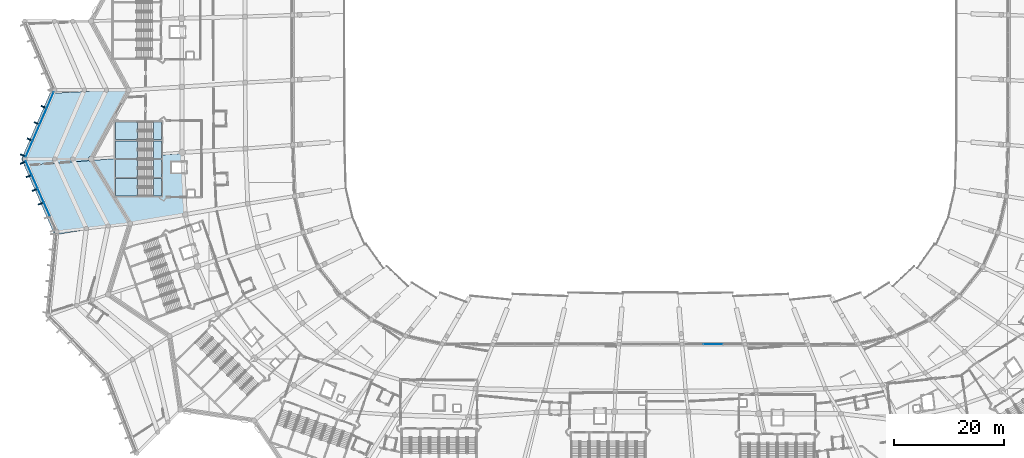
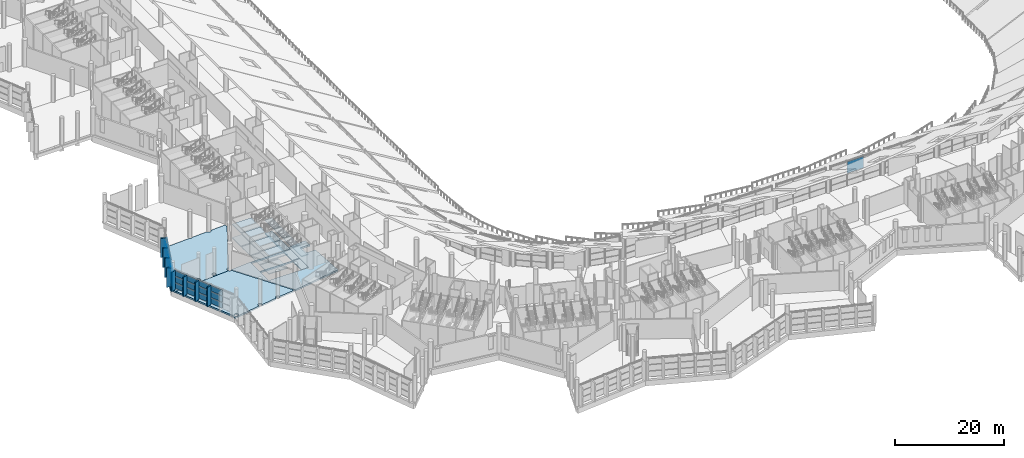
# One storey, part 103 of 249: 31 plates, 19 slabs, 7 elements without a shape of their own.
"""IFC4 building model written with IfcOpenShell, lengths in metres."""

from ifc_helpers import new_model, si_unit, direction, frame, origin, origin_2d, place, context, subcontext, project, spatial, polyline, rectangle, outline, extrude, material, layer, layer_set, type_object, element, aggregate, save


model = new_model("IFC4")

# Units and contexts
model_context = context("Model", 3, precision=1e-05, world=origin(), true_north=direction((0.0, 1.0)))
body_context = subcontext(model_context, "Body", "Model", "MODEL_VIEW")
ifc_project = project(units=[si_unit("LENGTHUNIT", "METRE"), si_unit("AREAUNIT", "SQUARE_METRE"), si_unit("VOLUMEUNIT", "CUBIC_METRE"), si_unit("PLANEANGLEUNIT", "RADIAN"), si_unit("MASSUNIT", "GRAM", prefix="KILO")], contexts=[model_context])

# Site, building, storey
site_placement = place(None, origin())
site = spatial("IfcSite", under=ifc_project, at=site_placement, CompositionType="ELEMENT")
building_placement = place(site_placement, origin())
building = spatial("IfcBuilding", under=site, at=building_placement, Name="Meseta Stadium", CompositionType="ELEMENT")
storey_placement = place(building_placement, frame((0.0, 0.0, 12.0)))
storey = spatial("IfcBuildingStorey", under=building, at=storey_placement, Name="L02", CompositionType="ELEMENT", Elevation=12.0)

# Curtain wall, plate
ifc_material_1 = material(Name="Aluminium", Category="aluminium")
ifc_layer_1 = layer(ifc_material_1, 0.199951171875)
ifc_layer_set_1 = layer_set([ifc_layer_1], Name="Suite glazing curtain wall")
curtain_wall_type_1 = type_object("IfcCurtainWallType", Name="Suite glazing curtain wall", PredefinedType="NOTDEFINED", material=ifc_layer_set_1)
curtain_wall_1_placement = place(storey_placement, origin())
curtain_wall_1 = element("IfcCurtainWall", 1, at=curtain_wall_1_placement, inside=storey, type_object=curtain_wall_type_1, Name="Suite glazing bay 47", PredefinedType="NOTDEFINED")
ifc_material_2 = material(Name="Glass", Category="glass")
ifc_layer_2 = layer(ifc_material_2, 0.035888671875)
ifc_layer_set_2 = layer_set([ifc_layer_2], Name="CW glass panel 36")
plate_type_1 = type_object("IfcPlateType", Name="CW glass panel 36", PredefinedType="CURTAIN_PANEL", material=ifc_layer_set_2)
plate_1_placement = place(storey_placement, frame((11.41064453125, -77.31787109375, 2.89990234375), z_axis=(0.0, 0.0, 1.0), x_axis=(0.999996910004, -0.002485957037, 0.0)))
plate_1 = element("IfcPlate", 2, at=plate_1_placement, type_object=plate_type_1, Name="CWS panel 2.3", PredefinedType="CURTAIN_PANEL", context=body_context, shape_type="SweptSolid", body=[
    extrude(rectangle(XDim=3.42236328125, YDim=0.035888671875, at=origin_2d()), origin(), (0.0, 0.0, 1.0), 2.60009765625),
])
aggregate(curtain_wall_1, [plate_1])

# Slabs
ifc_material_3 = material(Name="Concrete C40/50", Category="concrete")
ifc_layer_3 = layer(ifc_material_3, 0.35009765625)
ifc_layer_set_3 = layer_set([ifc_layer_3], Name="Floor slab 350")
slab_type_1 = type_object("IfcSlabType", Name="Floor slab 350", PredefinedType="FLOOR", material=ifc_layer_set_3)
slab_1_placement = place(storey_placement, frame((0.0, 0.0, -0.35009765625)))
element("IfcSlab", 3, at=slab_1_placement, inside=storey, type_object=slab_type_1, Name="Floor slab L02 sector 35 panel 02", PredefinedType="FLOOR", context=body_context, shape_type="SweptSolid", body=[
    extrude(outline(polyline([(-88.60009765625, -43.028564453125), (-88.60009765625, -43.64990234375), (-96.697021484375, -43.64990234375), (-101.24853515625, -43.999267578125), (-94.29443359375, -55.44140625), (-84.3251953125, -53.801513671875), (-84.703125, -46.199951171875), (-86.800048828125, -46.199951171875), (-86.800048828125, -44.300048828125), (-84.797607421875, -44.300048828125), (-84.875, -42.74267578125), (-88.60009765625, -43.028564453125)]), holes=[polyline([(-97.0, -47.25), (-88.60009765625, -47.25), (-88.60009765625, -50.449951171875), (-97.0, -50.449951171875), (-97.0, -47.25)]), polyline([(-97.0, -47.050048828125), (-97.0, -43.85009765625), (-88.60009765625, -43.85009765625), (-88.60009765625, -47.050048828125), (-97.0, -47.050048828125)])]), origin(), (0.0, 0.0, 1.0), 0.35009765625),
])
slab_2_placement = place(storey_placement, frame((0.0, 0.0, -0.35009765625)))
element("IfcSlab", 4, at=slab_2_placement, inside=storey, type_object=slab_type_1, Name="Ring floor slab L02 5 part 2 panel 01", PredefinedType="FLOOR", context=body_context, shape_type="SweptSolid", body=[
    extrude(outline(polyline([(-102.890869140625, -31.5283203125), (-108.861572265625, -31.85546875), (-114.0, -43.75), (-113.480712890625, -44.938232421875), (-101.80615234375, -44.0419921875), (-101.836669921875, -44.002197265625), (-101.88720703125, -43.880615234375), (-101.904296875, -43.75), (-101.88720703125, -43.619384765625), (-101.836669921875, -43.497802734375), (-101.756591796875, -43.393310546875), (-101.652099609375, -43.313232421875), (-101.530517578125, -43.262939453125), (-101.39990234375, -43.24560546875), (-101.30322265625, -43.25830078125), (-94.935302734375, -31.55224609375), (-94.9931640625, -31.476806640625), (-95.038330078125, -31.367431640625), (-95.053955078125, -31.25), (-95.038330078125, -31.132568359375), (-95.023681640625, -31.0966796875), (-98.19921875, -31.27099609375), (-98.210205078125, -31.3544921875), (-98.25048828125, -31.45166015625), (-98.314697265625, -31.535400390625), (-98.398193359375, -31.599365234375), (-98.49560546875, -31.6396484375), (-98.60009765625, -31.653564453125), (-98.704345703125, -31.6396484375), (-98.8017578125, -31.599365234375), (-98.88525390625, -31.535400390625), (-98.949462890625, -31.45166015625), (-98.98974609375, -31.3544921875), (-98.9951171875, -31.314697265625), (-102.28369140625, -31.494873046875), (-102.314697265625, -31.535400390625), (-102.398193359375, -31.599365234375), (-102.49560546875, -31.6396484375), (-102.60009765625, -31.653564453125), (-102.704345703125, -31.6396484375), (-102.8017578125, -31.599365234375), (-102.88525390625, -31.535400390625), (-102.890869140625, -31.5283203125)]), holes=[polyline([(-104.498291015625, -44.099365234375), (-104.595703125, -44.1396484375), (-104.699951171875, -44.153564453125), (-104.804443359375, -44.1396484375), (-104.901611328125, -44.099365234375), (-104.9853515625, -44.035400390625), (-105.04931640625, -43.95166015625), (-105.089599609375, -43.8544921875), (-105.103515625, -43.75), (-105.089599609375, -43.6455078125), (-105.04931640625, -43.54833984375), (-104.9853515625, -43.464599609375), (-104.901611328125, -43.400634765625), (-104.804443359375, -43.3603515625), (-104.699951171875, -43.346435546875), (-104.595703125, -43.3603515625), (-104.498291015625, -43.400634765625), (-104.414794921875, -43.464599609375), (-104.3505859375, -43.54833984375), (-104.310302734375, -43.6455078125), (-104.29638671875, -43.75), (-104.310302734375, -43.8544921875), (-104.3505859375, -43.95166015625), (-104.414794921875, -44.035400390625), (-104.498291015625, -44.099365234375)]), polyline([(-107.650634765625, -43.95166015625), (-107.714599609375, -44.035400390625), (-107.79833984375, -44.099365234375), (-107.8955078125, -44.1396484375), (-108.0, -44.153564453125), (-108.1044921875, -44.1396484375), (-108.20166015625, -44.099365234375), (-108.285400390625, -44.035400390625), (-108.349365234375, -43.95166015625), (-108.3896484375, -43.8544921875), (-108.403564453125, -43.75), (-108.3896484375, -43.6455078125), (-108.349365234375, -43.54833984375), (-108.285400390625, -43.464599609375), (-108.20166015625, -43.400634765625), (-108.1044921875, -43.3603515625), (-108.0, -43.346435546875), (-107.8955078125, -43.3603515625), (-107.79833984375, -43.400634765625), (-107.714599609375, -43.464599609375), (-107.650634765625, -43.54833984375), (-107.6103515625, -43.6455078125), (-107.596435546875, -43.75), (-107.6103515625, -43.8544921875), (-107.650634765625, -43.95166015625)]), polyline([(-113.601806640625, -44.099365234375), (-113.685302734375, -44.035400390625), (-113.74951171875, -43.95166015625), (-113.789794921875, -43.8544921875), (-113.803466796875, -43.75), (-113.789794921875, -43.6455078125), (-113.74951171875, -43.54833984375), (-113.685302734375, -43.464599609375), (-113.601806640625, -43.400634765625), (-113.50439453125, -43.3603515625), (-113.39990234375, -43.346435546875), (-113.295654296875, -43.3603515625), (-113.1982421875, -43.400634765625), (-113.11474609375, -43.464599609375), (-113.050537109375, -43.54833984375), (-113.01025390625, -43.6455078125), (-112.99658203125, -43.75), (-113.01025390625, -43.8544921875), (-113.050537109375, -43.95166015625), (-113.11474609375, -44.035400390625), (-113.1982421875, -44.099365234375), (-113.295654296875, -44.1396484375), (-113.39990234375, -44.153564453125), (-113.50439453125, -44.1396484375), (-113.601806640625, -44.099365234375)])]), origin(), (0.0, 0.0, 1.0), 0.35009765625),
])
slab_3_placement = place(storey_placement, frame((0.0, 0.0, -0.35009765625)))
element("IfcSlab", 5, at=slab_3_placement, inside=storey, type_object=slab_type_1, Name="Ring floor slab L02 5 part 2 panel 02", PredefinedType="FLOOR", context=body_context, shape_type="SweptSolid", body=[
    extrude(outline(polyline([(-108.255615234375, -57.526611328125), (-102.541748046875, -56.606201171875), (-102.593505859375, -56.538818359375), (-102.6337890625, -56.441650390625), (-102.647705078125, -56.337158203125), (-102.6337890625, -56.23291015625), (-102.593505859375, -56.135498046875), (-102.529296875, -56.052001953125), (-102.44580078125, -55.98779296875), (-102.348388671875, -55.947509765625), (-102.244140625, -55.93359375), (-102.1396484375, -55.947509765625), (-102.04248046875, -55.98779296875), (-101.958740234375, -56.052001953125), (-101.894775390625, -56.135498046875), (-101.8544921875, -56.23291015625), (-101.8408203125, -56.337158203125), (-101.8544921875, -56.441650390625), (-101.87841796875, -56.49951171875), (-98.66064453125, -55.981201171875), (-98.672607421875, -55.889404296875), (-98.658935546875, -55.784912109375), (-98.61865234375, -55.6875), (-98.554443359375, -55.60400390625), (-98.470947265625, -55.539794921875), (-98.373779296875, -55.49951171875), (-98.269287109375, -55.48583984375), (-98.164794921875, -55.49951171875), (-98.0673828125, -55.539794921875), (-97.98388671875, -55.60400390625), (-97.919921875, -55.6875), (-97.879638671875, -55.784912109375), (-97.87158203125, -55.844482421875), (-94.74169921875, -55.491943359375), (-94.748291015625, -55.44140625), (-94.73291015625, -55.323974609375), (-94.6875, -55.214599609375), (-94.64306640625, -55.156494140625), (-101.27880859375, -44.23828125), (-101.39990234375, -44.25439453125), (-101.530517578125, -44.237060546875), (-101.652099609375, -44.186767578125), (-101.756591796875, -44.106689453125), (-101.80615234375, -44.0419921875), (-113.480712890625, -44.938232421875), (-108.206298828125, -57.009033203125), (-108.255615234375, -57.526611328125)]), holes=[polyline([(-107.959716796875, -56.739990234375), (-107.8955078125, -56.656494140625), (-107.81201171875, -56.59228515625), (-107.714599609375, -56.552001953125), (-107.610107421875, -56.538330078125), (-107.505615234375, -56.552001953125), (-107.408447265625, -56.59228515625), (-107.324951171875, -56.656494140625), (-107.2607421875, -56.739990234375), (-107.220458984375, -56.83740234375), (-107.206787109375, -56.94189453125), (-107.220458984375, -57.046142578125), (-107.2607421875, -57.1435546875), (-107.324951171875, -57.22705078125), (-107.408447265625, -57.291259765625), (-107.505615234375, -57.33154296875), (-107.610107421875, -57.34521484375), (-107.714599609375, -57.33154296875), (-107.81201171875, -57.291259765625), (-107.8955078125, -57.22705078125), (-107.959716796875, -57.1435546875), (-108.0, -57.046142578125), (-108.013671875, -56.94189453125), (-108.0, -56.83740234375), (-107.959716796875, -56.739990234375)])]), origin(), (0.0, 0.0, 1.0), 0.35009765625),
])

# Curtain wall, plates
ifc_material_4 = material(Name="Aluminium", Category="aluminium")
ifc_layer_4 = layer(ifc_material_4, 0.199951171875)
ifc_layer_set_4 = layer_set([ifc_layer_4], Name="Ring shopfront curtain wall")
curtain_wall_type_2 = type_object("IfcCurtainWallType", Name="Ring shopfront curtain wall", PredefinedType="NOTDEFINED", material=ifc_layer_set_4)
curtain_wall_2_placement = place(storey_placement, origin())
curtain_wall_2 = element("IfcCurtainWall", 6, at=curtain_wall_2_placement, inside=storey, type_object=curtain_wall_type_2, Name="Ring glazing L02 F35", PredefinedType="NOTDEFINED")
ifc_material_5 = material(Name="Glass", Category="glass")
ifc_layer_5 = layer(ifc_material_5, 0.035888671875)
ifc_layer_set_5 = layer_set([ifc_layer_5], Name="Ring CW glass panel 36")
plate_type_2 = type_object("IfcPlateType", Name="Ring CW glass panel 36", PredefinedType="CURTAIN_PANEL", material=ifc_layer_set_5)
plate_2_placement = place(storey_placement, frame((-108.7998046875, -33.1015625, 0.14990234375), z_axis=(0.0, 0.0, 1.0), x_axis=(-0.396580687073, -0.91799986854, 0.0)))
plate_2 = element("IfcPlate", 7, at=plate_2_placement, type_object=plate_type_2, Name="CWR1 panel 1.1", PredefinedType="CURTAIN_PANEL", context=body_context, shape_type="SweptSolid", body=[
    extrude(rectangle(XDim=3.1142578125, YDim=0.035888671875, at=origin_2d()), origin(), (0.0, 0.0, 1.0), 1.208251953125),
])
plate_3_placement = place(storey_placement, frame((-110.064697265625, -36.029296875, 0.14990234375), z_axis=(0.0, 0.0, 1.0), x_axis=(-0.396580687073, -0.91799986854, 0.0)))
plate_3 = element("IfcPlate", 8, at=plate_3_placement, type_object=plate_type_2, Name="CWR1 panel 2.1", PredefinedType="CURTAIN_PANEL", context=body_context, shape_type="SweptSolid", body=[
    extrude(rectangle(XDim=3.14404296875, YDim=0.035888671875, at=origin_2d()), origin(), (0.0, 0.0, 1.0), 1.208251953125),
])
plate_4_placement = place(storey_placement, frame((-110.064697265625, -36.029296875, 1.50830078125), z_axis=(0.0, 0.0, 1.0), x_axis=(-0.396580687073, -0.91799986854, 0.0)))
plate_4 = element("IfcPlate", 9, at=plate_4_placement, type_object=plate_type_2, Name="CWR1 panel 2.2", PredefinedType="CURTAIN_PANEL", context=body_context, shape_type="SweptSolid", body=[
    extrude(rectangle(XDim=3.14404296875, YDim=0.035888671875, at=origin_2d()), origin(), (0.0, 0.0, 1.0), 1.283447265625),
])
plate_5_placement = place(storey_placement, frame((-110.064697265625, -36.029296875, 2.94189453125), z_axis=(0.0, 0.0, 1.0), x_axis=(-0.396580687073, -0.91799986854, 0.0)))
plate_5 = element("IfcPlate", 10, at=plate_5_placement, type_object=plate_type_2, Name="CWR1 panel 2.3", PredefinedType="CURTAIN_PANEL", context=body_context, shape_type="SweptSolid", body=[
    extrude(rectangle(XDim=3.14404296875, YDim=0.035888671875, at=origin_2d()), origin(), (0.0, 0.0, 1.0), 1.208251953125),
])
plate_6_placement = place(storey_placement, frame((-111.33544921875, -38.970703125, 0.14990234375), z_axis=(0.0, 0.0, 1.0), x_axis=(-0.396580687073, -0.91799986854, 0.0)))
plate_6 = element("IfcPlate", 11, at=plate_6_placement, type_object=plate_type_2, Name="CWR1 panel 3.1", PredefinedType="CURTAIN_PANEL", context=body_context, shape_type="SweptSolid", body=[
    extrude(rectangle(XDim=3.14404296875, YDim=0.035888671875, at=origin_2d()), origin(), (0.0, 0.0, 1.0), 1.208251953125),
])
plate_7_placement = place(storey_placement, frame((-111.33544921875, -38.970703125, 1.50830078125), z_axis=(0.0, 0.0, 1.0), x_axis=(-0.396580687073, -0.91799986854, 0.0)))
plate_7 = element("IfcPlate", 12, at=plate_7_placement, type_object=plate_type_2, Name="CWR1 panel 3.2", PredefinedType="CURTAIN_PANEL", context=body_context, shape_type="SweptSolid", body=[
    extrude(rectangle(XDim=3.14404296875, YDim=0.035888671875, at=origin_2d()), origin(), (0.0, 0.0, 1.0), 1.283447265625),
])
plate_8_placement = place(storey_placement, frame((-111.33544921875, -38.970703125, 2.94189453125), z_axis=(0.0, 0.0, 1.0), x_axis=(-0.396580687073, -0.91799986854, 0.0)))
plate_8 = element("IfcPlate", 13, at=plate_8_placement, type_object=plate_type_2, Name="CWR1 panel 3.3", PredefinedType="CURTAIN_PANEL", context=body_context, shape_type="SweptSolid", body=[
    extrude(rectangle(XDim=3.14404296875, YDim=0.035888671875, at=origin_2d()), origin(), (0.0, 0.0, 1.0), 1.208251953125),
])
plate_9_placement = place(storey_placement, frame((-112.60009765625, -41.8984375, 0.14990234375), z_axis=(0.0, 0.0, 1.0), x_axis=(-0.396580687073, -0.91799986854, 0.0)))
plate_9 = element("IfcPlate", 14, at=plate_9_placement, type_object=plate_type_2, Name="CWR1 panel 4.1", PredefinedType="CURTAIN_PANEL", context=body_context, shape_type="SweptSolid", body=[
    extrude(rectangle(XDim=3.1142578125, YDim=0.035888671875, at=origin_2d()), origin(), (0.0, 0.0, 1.0), 1.208251953125),
])
plate_10_placement = place(storey_placement, frame((-112.60009765625, -41.8984375, 1.50830078125), z_axis=(0.0, 0.0, 1.0), x_axis=(-0.396580687073, -0.91799986854, 0.0)))
plate_10 = element("IfcPlate", 15, at=plate_10_placement, type_object=plate_type_2, Name="CWR1 panel 4.2", PredefinedType="CURTAIN_PANEL", context=body_context, shape_type="SweptSolid", body=[
    extrude(rectangle(XDim=3.1142578125, YDim=0.035888671875, at=origin_2d()), origin(), (0.0, 0.0, 1.0), 1.283447265625),
])
plate_11_placement = place(storey_placement, frame((-112.60009765625, -41.8984375, 2.94189453125), z_axis=(0.0, 0.0, 1.0), x_axis=(-0.396580687073, -0.91799986854, 0.0)))
plate_11 = element("IfcPlate", 16, at=plate_11_placement, type_object=plate_type_2, Name="CWR1 panel 4.3", PredefinedType="CURTAIN_PANEL", context=body_context, shape_type="SweptSolid", body=[
    extrude(rectangle(XDim=3.1142578125, YDim=0.035888671875, at=origin_2d()), origin(), (0.0, 0.0, 1.0), 1.208251953125),
])
aggregate(curtain_wall_2, [plate_2, plate_3, plate_4, plate_5, plate_6, plate_7, plate_8, plate_9, plate_10, plate_11])

curtain_wall_3_placement = place(storey_placement, origin())
curtain_wall_3 = element("IfcCurtainWall", 17, at=curtain_wall_3_placement, inside=storey, type_object=curtain_wall_type_2, Name="Ring glazing L02 F36", PredefinedType="NOTDEFINED")
plate_12_placement = place(storey_placement, frame((-112.686279296875, -45.3759765625, 0.14990234375), z_axis=(0.0, 0.0, 1.0), x_axis=(0.401891921186, -0.915687110145, 0.0)))
plate_12 = element("IfcPlate", 18, at=plate_12_placement, type_object=plate_type_2, Name="CWR1 panel 1.1", PredefinedType="CURTAIN_PANEL", context=body_context, shape_type="SweptSolid", body=[
    extrude(rectangle(XDim=2.63134765625, YDim=0.035888671875, at=origin_2d()), origin(), (0.0, 0.0, 1.0), 1.208251953125),
])
plate_13_placement = place(storey_placement, frame((-112.686279296875, -45.3759765625, 1.50830078125), z_axis=(0.0, 0.0, 1.0), x_axis=(0.401891921186, -0.915687110145, 0.0)))
plate_13 = element("IfcPlate", 19, at=plate_13_placement, type_object=plate_type_2, Name="CWR1 panel 1.2", PredefinedType="CURTAIN_PANEL", context=body_context, shape_type="SweptSolid", body=[
    extrude(rectangle(XDim=2.63134765625, YDim=0.035888671875, at=origin_2d()), origin(), (0.0, 0.0, 1.0), 1.283447265625),
])
plate_14_placement = place(storey_placement, frame((-112.686279296875, -45.3759765625, 2.94189453125), z_axis=(0.0, 0.0, 1.0), x_axis=(0.401891921186, -0.915687110145, 0.0)))
plate_14 = element("IfcPlate", 20, at=plate_14_placement, type_object=plate_type_2, Name="CWR1 panel 1.3", PredefinedType="CURTAIN_PANEL", context=body_context, shape_type="SweptSolid", body=[
    extrude(rectangle(XDim=2.63134765625, YDim=0.035888671875, at=origin_2d()), origin(), (0.0, 0.0, 1.0), 1.208251953125),
])
plate_15_placement = place(storey_placement, frame((-111.5986328125, -47.85400390625, 0.14990234375), z_axis=(0.0, 0.0, 1.0), x_axis=(0.401891921186, -0.915687110145, 0.0)))
plate_15 = element("IfcPlate", 21, at=plate_15_placement, type_object=plate_type_2, Name="CWR1 panel 2.1", PredefinedType="CURTAIN_PANEL", context=body_context, shape_type="SweptSolid", body=[
    extrude(rectangle(XDim=2.661376953125, YDim=0.035888671875, at=origin_2d()), origin(), (0.0, 0.0, 1.0), 1.208251953125),
])
plate_16_placement = place(storey_placement, frame((-111.5986328125, -47.85400390625, 1.50830078125), z_axis=(0.0, 0.0, 1.0), x_axis=(0.401891921186, -0.915687110145, 0.0)))
plate_16 = element("IfcPlate", 22, at=plate_16_placement, type_object=plate_type_2, Name="CWR1 panel 2.2", PredefinedType="CURTAIN_PANEL", context=body_context, shape_type="SweptSolid", body=[
    extrude(rectangle(XDim=2.661376953125, YDim=0.035888671875, at=origin_2d()), origin(), (0.0, 0.0, 1.0), 1.283447265625),
])
plate_17_placement = place(storey_placement, frame((-111.5986328125, -47.85400390625, 2.94189453125), z_axis=(0.0, 0.0, 1.0), x_axis=(0.401891921186, -0.915687110145, 0.0)))
plate_17 = element("IfcPlate", 23, at=plate_17_placement, type_object=plate_type_2, Name="CWR1 panel 2.3", PredefinedType="CURTAIN_PANEL", context=body_context, shape_type="SweptSolid", body=[
    extrude(rectangle(XDim=2.661376953125, YDim=0.035888671875, at=origin_2d()), origin(), (0.0, 0.0, 1.0), 1.208251953125),
])
plate_18_placement = place(storey_placement, frame((-110.505126953125, -50.345947265625, 0.14990234375), z_axis=(0.0, 0.0, 1.0), x_axis=(0.401891921186, -0.915687110145, 0.0)))
plate_18 = element("IfcPlate", 24, at=plate_18_placement, type_object=plate_type_2, Name="CWR1 panel 3.1", PredefinedType="CURTAIN_PANEL", context=body_context, shape_type="SweptSolid", body=[
    extrude(rectangle(XDim=2.661376953125, YDim=0.035888671875, at=origin_2d()), origin(), (0.0, 0.0, 1.0), 1.208251953125),
])
plate_19_placement = place(storey_placement, frame((-110.505126953125, -50.345947265625, 1.50830078125), z_axis=(0.0, 0.0, 1.0), x_axis=(0.401891921186, -0.915687110145, 0.0)))
plate_19 = element("IfcPlate", 25, at=plate_19_placement, type_object=plate_type_2, Name="CWR1 panel 3.2", PredefinedType="CURTAIN_PANEL", context=body_context, shape_type="SweptSolid", body=[
    extrude(rectangle(XDim=2.661376953125, YDim=0.035888671875, at=origin_2d()), origin(), (0.0, 0.0, 1.0), 1.283447265625),
])
plate_20_placement = place(storey_placement, frame((-110.505126953125, -50.345947265625, 2.94189453125), z_axis=(0.0, 0.0, 1.0), x_axis=(0.401891921186, -0.915687110145, 0.0)))
plate_20 = element("IfcPlate", 26, at=plate_20_placement, type_object=plate_type_2, Name="CWR1 panel 3.3", PredefinedType="CURTAIN_PANEL", context=body_context, shape_type="SweptSolid", body=[
    extrude(rectangle(XDim=2.661376953125, YDim=0.035888671875, at=origin_2d()), origin(), (0.0, 0.0, 1.0), 1.208251953125),
])
plate_21_placement = place(storey_placement, frame((-109.411376953125, -52.837646484375, 0.14990234375), z_axis=(0.0, 0.0, 1.0), x_axis=(0.401891921186, -0.915687110145, 0.0)))
plate_21 = element("IfcPlate", 27, at=plate_21_placement, type_object=plate_type_2, Name="CWR1 panel 4.1", PredefinedType="CURTAIN_PANEL", context=body_context, shape_type="SweptSolid", body=[
    extrude(rectangle(XDim=2.661376953125, YDim=0.035888671875, at=origin_2d()), origin(), (0.0, 0.0, 1.0), 1.208251953125),
])
plate_22_placement = place(storey_placement, frame((-109.411376953125, -52.837646484375, 1.50830078125), z_axis=(0.0, 0.0, 1.0), x_axis=(0.401891921186, -0.915687110145, 0.0)))
plate_22 = element("IfcPlate", 28, at=plate_22_placement, type_object=plate_type_2, Name="CWR1 panel 4.2", PredefinedType="CURTAIN_PANEL", context=body_context, shape_type="SweptSolid", body=[
    extrude(rectangle(XDim=2.661376953125, YDim=0.035888671875, at=origin_2d()), origin(), (0.0, 0.0, 1.0), 1.283447265625),
])
plate_23_placement = place(storey_placement, frame((-109.411376953125, -52.837646484375, 2.94189453125), z_axis=(0.0, 0.0, 1.0), x_axis=(0.401891921186, -0.915687110145, 0.0)))
plate_23 = element("IfcPlate", 29, at=plate_23_placement, type_object=plate_type_2, Name="CWR1 panel 4.3", PredefinedType="CURTAIN_PANEL", context=body_context, shape_type="SweptSolid", body=[
    extrude(rectangle(XDim=2.661376953125, YDim=0.035888671875, at=origin_2d()), origin(), (0.0, 0.0, 1.0), 1.208251953125),
])
aggregate(curtain_wall_3, [plate_12, plate_13, plate_14, plate_15, plate_16, plate_17, plate_18, plate_19, plate_20, plate_21, plate_22, plate_23])

# Plates
ifc_material_6 = material(Name="Precast concrete C40/50", Category="concrete")
ifc_layer_6 = layer(ifc_material_6, 0.25)
ifc_layer_set_6 = layer_set([ifc_layer_6], Name="Ring brise-soleil fin 250x1000")
plate_type_3 = type_object("IfcPlateType", Name="Ring brise-soleil fin 250x1000", PredefinedType="USERDEFINED", material=ifc_layer_set_6)
for number, where, z_axis, x_axis, name in (
    (30, (-109.97998046875, -34.32080078125, 0.0), (0.0, 0.0, 1.0), (-0.396575976693, -0.918001903435, 0.0), "Brise-soleil fin L02 F35.2"),
    (31, (-111.250732421875, -37.26220703125, 0.0), (0.0, 0.0, 1.0), (-0.396575976693, -0.918001903435, 0.0), "Brise-soleil fin L02 F35.3"),
    (32, (-112.521484375, -40.20361328125, 0.0), (0.0, 0.0, 1.0), (-0.396575976693, -0.918001903435, 0.0), "Brise-soleil fin L02 F35.4"),
    (33, (-113.762451171875, -43.075927734375, 0.0), (0.0, 0.0, 1.0), (-0.396575976693, -0.918001903435, 0.0), "Brise-soleil fin L02 F35.5"),
    (34, (-113.758544921875, -44.426025390625, 0.0), (0.0, 0.0, 1.0), (0.401891841261, -0.915687145224, 0.0), "Brise-soleil fin L02 F36.1"),
    (35, (-112.695068359375, -46.849365234375, 0.0), (0.0, 0.0, 1.0), (0.401891841261, -0.915687145224, 0.0), "Brise-soleil fin L02 F36.2"),
    (36, (-111.601318359375, -49.341064453125, 0.0), (0.0, 0.0, 1.0), (0.401891841261, -0.915687145224, 0.0), "Brise-soleil fin L02 F36.3"),
    (37, (-110.5078125, -51.8330078125, 0.0), (0.0, 0.0, 1.0), (0.401891841261, -0.915687145224, 0.0), "Brise-soleil fin L02 F36.4"),
):
    element("IfcPlate", number, at=place(storey_placement, frame(where, z_axis=z_axis, x_axis=x_axis)), inside=storey, type_object=plate_type_3, Name=name, ObjectType="FIN", PredefinedType="USERDEFINED", context=body_context, shape_type="SweptSolid", body=[
        extrude(rectangle(XDim=0.25, YDim=1.0, at=origin_2d()), origin(), (0.0, 0.0, 1.0), 4.300048828125),
    ])

# Stair, slabs
ifc_material_7 = material(Name="Concrete C40/50", Category="concrete")
stair_type = type_object("IfcStairType", Name="Exit stair 4 flights 150 mm risers", PredefinedType="HALF_TURN_STAIR", material=ifc_material_7)
stair_1_placement = place(storey_placement, origin())
stair_1 = element("IfcStair", 38, at=stair_1_placement, inside=storey, type_object=stair_type, Name="ST73 L02", PredefinedType="HALF_TURN_STAIR")
ifc_material_8 = material(Name="Concrete C40/50", Category="concrete")
ifc_layer_7 = layer(ifc_material_8, 0.199951171875)
ifc_layer_set_7 = layer_set([ifc_layer_7], Name="Stair landing 200")
slab_type_2 = type_object("IfcSlabType", Name="Stair landing 200", PredefinedType="LANDING", material=ifc_layer_set_7)
slab_4_placement = place(storey_placement, frame((0.0, 0.0, 1.300048828125)))
slab_4 = element("IfcSlab", 39, at=slab_4_placement, type_object=slab_type_2, Name="ST73 L02 landing 1", PredefinedType="LANDING", context=body_context, shape_type="SweptSolid", body=[
    extrude(outline(polyline([(-92.969970703125, -37.050048828125), (-97.0, -37.050048828125), (-97.0, -40.25), (-92.969970703125, -40.25), (-92.969970703125, -37.050048828125)])), origin(), (0.0, 0.0, 1.0), 0.199951171875),
])
slab_5_placement = place(storey_placement, frame((0.0, 0.0, 2.800048828125)))
slab_5 = element("IfcSlab", 40, at=slab_5_placement, type_object=slab_type_2, Name="ST73 L02 landing 2", PredefinedType="LANDING", context=body_context, shape_type="SweptSolid", body=[
    extrude(outline(polyline([(-88.60009765625, -37.050048828125), (-90.110107421875, -37.050048828125), (-90.110107421875, -40.25), (-88.60009765625, -40.25), (-88.60009765625, -37.050048828125)])), origin(), (0.0, 0.0, 1.0), 0.199951171875),
])
slab_6_placement = place(storey_placement, frame((0.0, 0.0, 4.300048828125)))
slab_6 = element("IfcSlab", 41, at=slab_6_placement, type_object=slab_type_2, Name="ST73 L02 landing 3", PredefinedType="LANDING", context=body_context, shape_type="SweptSolid", body=[
    extrude(outline(polyline([(-92.969970703125, -37.050048828125), (-97.0, -37.050048828125), (-97.0, -40.25), (-92.969970703125, -40.25), (-92.969970703125, -37.050048828125)])), origin(), (0.0, 0.0, 1.0), 0.199951171875),
])
slab_7_placement = place(storey_placement, frame((0.0, 0.0, -0.199951171875)))
slab_7 = element("IfcSlab", 42, at=slab_7_placement, type_object=slab_type_2, Name="ST73 L02 landing 4", PredefinedType="LANDING", context=body_context, shape_type="SweptSolid", body=[
    extrude(outline(polyline([(-88.60009765625, -37.050048828125), (-90.110107421875, -37.050048828125), (-90.110107421875, -40.25), (-88.60009765625, -40.25), (-88.60009765625, -37.050048828125)])), origin(), (0.0, 0.0, 1.0), 0.199951171875),
])
aggregate(stair_1, [slab_4, slab_5, slab_6, slab_7])

stair_2_placement = place(storey_placement, origin())
stair_2 = element("IfcStair", 43, at=stair_2_placement, inside=storey, type_object=stair_type, Name="ST74 L02", PredefinedType="HALF_TURN_STAIR")
slab_8_placement = place(storey_placement, frame((0.0, 0.0, 1.300048828125)))
slab_8 = element("IfcSlab", 44, at=slab_8_placement, type_object=slab_type_2, Name="ST74 L02 landing 1", PredefinedType="LANDING", context=body_context, shape_type="SweptSolid", body=[
    extrude(outline(polyline([(-92.969970703125, -40.449951171875), (-97.0, -40.449951171875), (-97.0, -43.64990234375), (-92.969970703125, -43.64990234375), (-92.969970703125, -40.449951171875)])), origin(), (0.0, 0.0, 1.0), 0.199951171875),
])
slab_9_placement = place(storey_placement, frame((0.0, 0.0, 2.800048828125)))
slab_9 = element("IfcSlab", 45, at=slab_9_placement, type_object=slab_type_2, Name="ST74 L02 landing 2", PredefinedType="LANDING", context=body_context, shape_type="SweptSolid", body=[
    extrude(outline(polyline([(-88.60009765625, -40.449951171875), (-90.110107421875, -40.449951171875), (-90.110107421875, -43.64990234375), (-88.60009765625, -43.64990234375), (-88.60009765625, -40.449951171875)])), origin(), (0.0, 0.0, 1.0), 0.199951171875),
])
slab_10_placement = place(storey_placement, frame((0.0, 0.0, 4.300048828125)))
slab_10 = element("IfcSlab", 46, at=slab_10_placement, type_object=slab_type_2, Name="ST74 L02 landing 3", PredefinedType="LANDING", context=body_context, shape_type="SweptSolid", body=[
    extrude(outline(polyline([(-92.969970703125, -40.449951171875), (-97.0, -40.449951171875), (-97.0, -43.64990234375), (-92.969970703125, -43.64990234375), (-92.969970703125, -40.449951171875)])), origin(), (0.0, 0.0, 1.0), 0.199951171875),
])
slab_11_placement = place(storey_placement, frame((0.0, 0.0, -0.199951171875)))
slab_11 = element("IfcSlab", 47, at=slab_11_placement, type_object=slab_type_2, Name="ST74 L02 landing 4", PredefinedType="LANDING", context=body_context, shape_type="SweptSolid", body=[
    extrude(outline(polyline([(-88.60009765625, -40.449951171875), (-90.110107421875, -40.449951171875), (-90.110107421875, -43.64990234375), (-88.60009765625, -43.64990234375), (-88.60009765625, -40.449951171875)])), origin(), (0.0, 0.0, 1.0), 0.199951171875),
])
aggregate(stair_2, [slab_8, slab_9, slab_10, slab_11])

stair_3_placement = place(storey_placement, origin())
stair_3 = element("IfcStair", 48, at=stair_3_placement, inside=storey, type_object=stair_type, Name="ST75 L02", PredefinedType="HALF_TURN_STAIR")
slab_12_placement = place(storey_placement, frame((0.0, 0.0, 1.300048828125)))
slab_12 = element("IfcSlab", 49, at=slab_12_placement, type_object=slab_type_2, Name="ST75 L02 landing 1", PredefinedType="LANDING", context=body_context, shape_type="SweptSolid", body=[
    extrude(outline(polyline([(-92.969970703125, -43.85009765625), (-97.0, -43.85009765625), (-97.0, -47.050048828125), (-92.969970703125, -47.050048828125), (-92.969970703125, -43.85009765625)])), origin(), (0.0, 0.0, 1.0), 0.199951171875),
])
slab_13_placement = place(storey_placement, frame((0.0, 0.0, 2.800048828125)))
slab_13 = element("IfcSlab", 50, at=slab_13_placement, type_object=slab_type_2, Name="ST75 L02 landing 2", PredefinedType="LANDING", context=body_context, shape_type="SweptSolid", body=[
    extrude(outline(polyline([(-88.60009765625, -43.85009765625), (-90.110107421875, -43.85009765625), (-90.110107421875, -47.050048828125), (-88.60009765625, -47.050048828125), (-88.60009765625, -43.85009765625)])), origin(), (0.0, 0.0, 1.0), 0.199951171875),
])
slab_14_placement = place(storey_placement, frame((0.0, 0.0, 4.300048828125)))
slab_14 = element("IfcSlab", 51, at=slab_14_placement, type_object=slab_type_2, Name="ST75 L02 landing 3", PredefinedType="LANDING", context=body_context, shape_type="SweptSolid", body=[
    extrude(outline(polyline([(-92.969970703125, -43.85009765625), (-97.0, -43.85009765625), (-97.0, -47.050048828125), (-92.969970703125, -47.050048828125), (-92.969970703125, -43.85009765625)])), origin(), (0.0, 0.0, 1.0), 0.199951171875),
])
slab_15_placement = place(storey_placement, frame((0.0, 0.0, -0.199951171875)))
slab_15 = element("IfcSlab", 52, at=slab_15_placement, type_object=slab_type_2, Name="ST75 L02 landing 4", PredefinedType="LANDING", context=body_context, shape_type="SweptSolid", body=[
    extrude(outline(polyline([(-88.60009765625, -43.85009765625), (-90.110107421875, -43.85009765625), (-90.110107421875, -47.050048828125), (-88.60009765625, -47.050048828125), (-88.60009765625, -43.85009765625)])), origin(), (0.0, 0.0, 1.0), 0.199951171875),
])
aggregate(stair_3, [slab_12, slab_13, slab_14, slab_15])

stair_4_placement = place(storey_placement, origin())
stair_4 = element("IfcStair", 53, at=stair_4_placement, inside=storey, type_object=stair_type, Name="ST76 L02", PredefinedType="HALF_TURN_STAIR")
slab_16_placement = place(storey_placement, frame((0.0, 0.0, 1.300048828125)))
slab_16 = element("IfcSlab", 54, at=slab_16_placement, type_object=slab_type_2, Name="ST76 L02 landing 1", PredefinedType="LANDING", context=body_context, shape_type="SweptSolid", body=[
    extrude(outline(polyline([(-92.969970703125, -47.25), (-97.0, -47.25), (-97.0, -50.449951171875), (-92.969970703125, -50.449951171875), (-92.969970703125, -47.25)])), origin(), (0.0, 0.0, 1.0), 0.199951171875),
])
slab_17_placement = place(storey_placement, frame((0.0, 0.0, 2.800048828125)))
slab_17 = element("IfcSlab", 55, at=slab_17_placement, type_object=slab_type_2, Name="ST76 L02 landing 2", PredefinedType="LANDING", context=body_context, shape_type="SweptSolid", body=[
    extrude(outline(polyline([(-88.60009765625, -47.25), (-90.110107421875, -47.25), (-90.110107421875, -50.449951171875), (-88.60009765625, -50.449951171875), (-88.60009765625, -47.25)])), origin(), (0.0, 0.0, 1.0), 0.199951171875),
])
slab_18_placement = place(storey_placement, frame((0.0, 0.0, 4.300048828125)))
slab_18 = element("IfcSlab", 56, at=slab_18_placement, type_object=slab_type_2, Name="ST76 L02 landing 3", PredefinedType="LANDING", context=body_context, shape_type="SweptSolid", body=[
    extrude(outline(polyline([(-92.969970703125, -47.25), (-97.0, -47.25), (-97.0, -50.449951171875), (-92.969970703125, -50.449951171875), (-92.969970703125, -47.25)])), origin(), (0.0, 0.0, 1.0), 0.199951171875),
])
slab_19_placement = place(storey_placement, frame((0.0, 0.0, -0.199951171875)))
slab_19 = element("IfcSlab", 57, at=slab_19_placement, type_object=slab_type_2, Name="ST76 L02 landing 4", PredefinedType="LANDING", context=body_context, shape_type="SweptSolid", body=[
    extrude(outline(polyline([(-88.60009765625, -47.25), (-90.110107421875, -47.25), (-90.110107421875, -50.449951171875), (-88.60009765625, -50.449951171875), (-88.60009765625, -47.25)])), origin(), (0.0, 0.0, 1.0), 0.199951171875),
])
aggregate(stair_4, [slab_16, slab_17, slab_18, slab_19])

save(model, "model.ifc")
